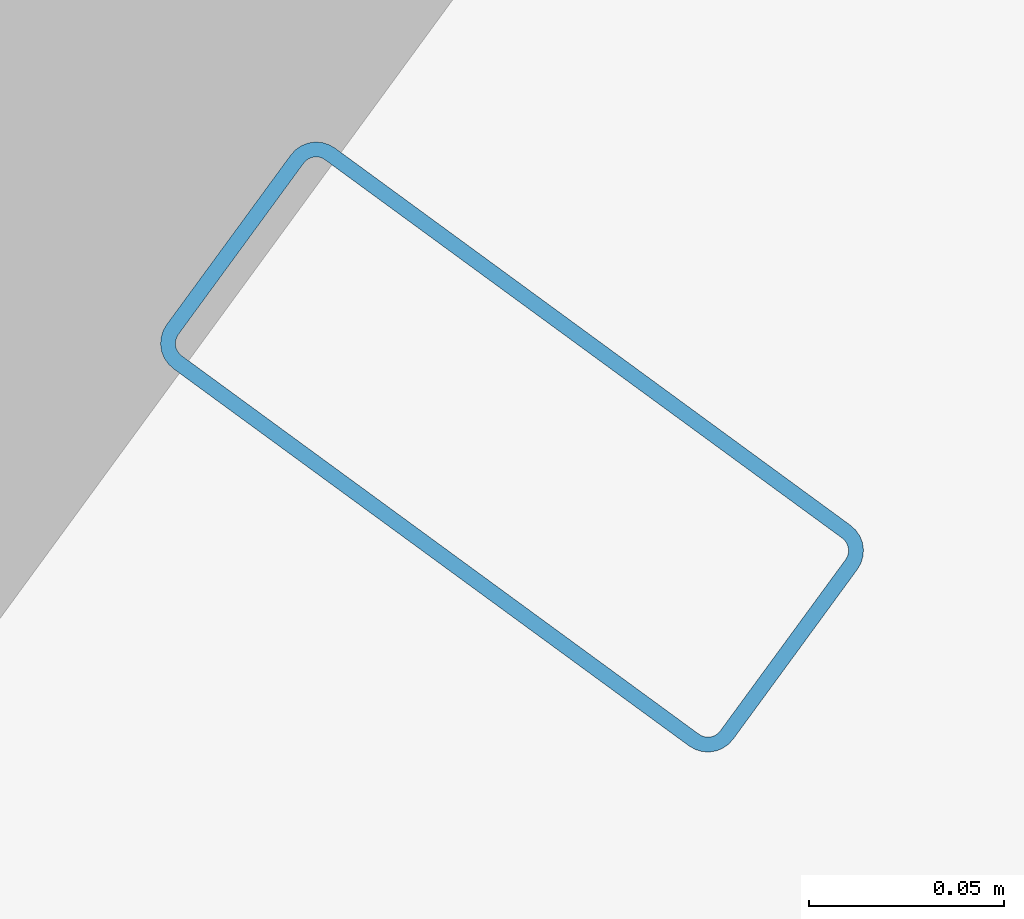
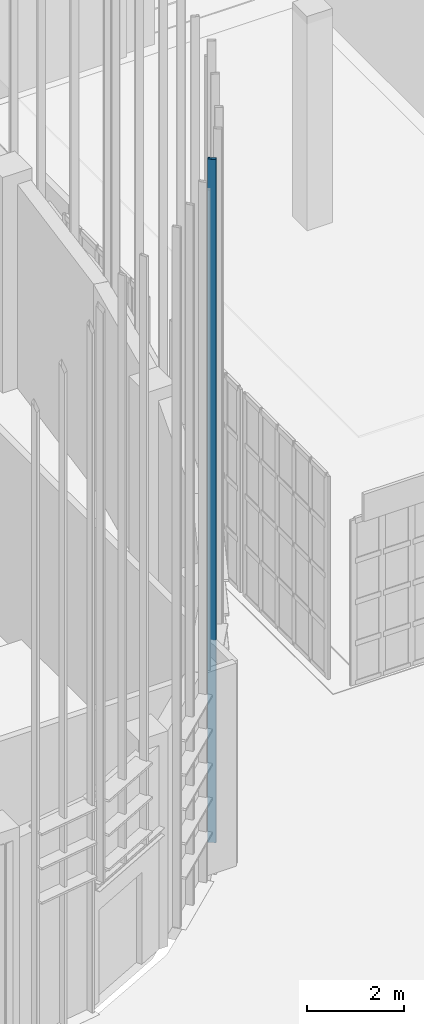
# One storey, part 262 of 372: 1 member.
"""IFC4 building model written with IfcOpenShell, lengths in metres."""

from ifc_helpers import new_model, si_unit, direction, frame, origin, origin_2d, place, context, subcontext, project, spatial, hollow_rectangle, extrude, material, material_profile, profile_set, type_object, element, save


model = new_model("IFC4")

# Units and contexts
model_context = context("Model", 3, precision=1e-05, world=origin(), true_north=direction((0.0, 1.0)))
body_context = subcontext(model_context, "Body", "Model", "MODEL_VIEW")
ifc_project = project(units=[si_unit("LENGTHUNIT", "METRE"), si_unit("AREAUNIT", "SQUARE_METRE"), si_unit("VOLUMEUNIT", "CUBIC_METRE"), si_unit("PLANEANGLEUNIT", "RADIAN"), si_unit("MASSUNIT", "GRAM", prefix="KILO")], contexts=[model_context])

# Site, building, storey
site_placement = place(None, origin())
site = spatial("IfcSite", under=ifc_project, at=site_placement, CompositionType="ELEMENT")
building_placement = place(site_placement, origin())
building = spatial("IfcBuilding", under=site, at=building_placement, Name="Kaelora Sail Theatre", CompositionType="ELEMENT")
storey_placement = place(building_placement, origin())
storey = spatial("IfcBuildingStorey", under=building, at=storey_placement, Name="L00", CompositionType="ELEMENT", Elevation=0.0)

# Member
ifc_material = material(Name="Anodised aluminium 6063-T6", Category="aluminium")
ifc_material_profile = material_profile(ifc_material, hollow_rectangle(XDim=0.070068359375, YDim=0.179931640625, WallThickness=0.00390625, InnerFilletRadius=0.00390625, OuterFilletRadius=0.008056640625, at=origin_2d()), Name="ALU-MULL 70x180x4")
ifc_profile_set = profile_set([ifc_material_profile], Name="Anodised aluminium 6063-T6")
member_type = type_object("IfcMemberType", Name="ARC-MEM-PST-160", PredefinedType="POST", material=ifc_profile_set)
member_placement = place(storey_placement, frame((142.50634765625, 27.928466796875, 0.0), z_axis=(0.0, 0.0, 1.0), x_axis=(-0.590464817481, -0.807063379987, 0.0)))
element("IfcMember", 1, at=member_placement, inside=storey, type_object=member_type, Name="Black-Box and Experimental Sail Wing solar louvre vertical support post C7-2", PredefinedType="POST", context=body_context, shape_type="SweptSolid", body=[
    extrude(hollow_rectangle(XDim=0.070068359375, YDim=0.179931640625, WallThickness=0.00390625, InnerFilletRadius=0.00390625, OuterFilletRadius=0.008056640625, at=origin_2d()), origin(), (0.0, 0.0, 1.0), 17.119140625),
])

save(model, "model.ifc")
